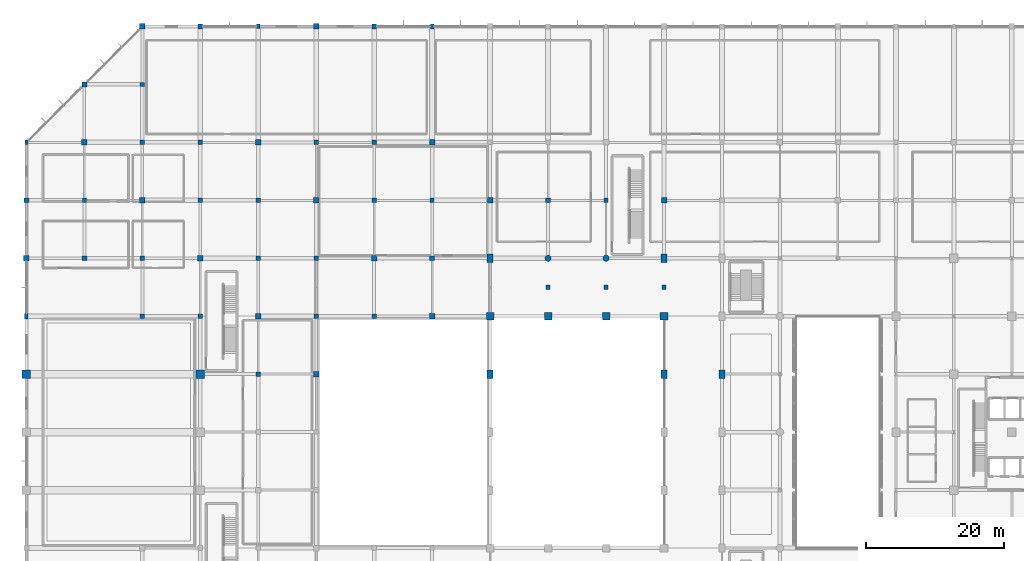
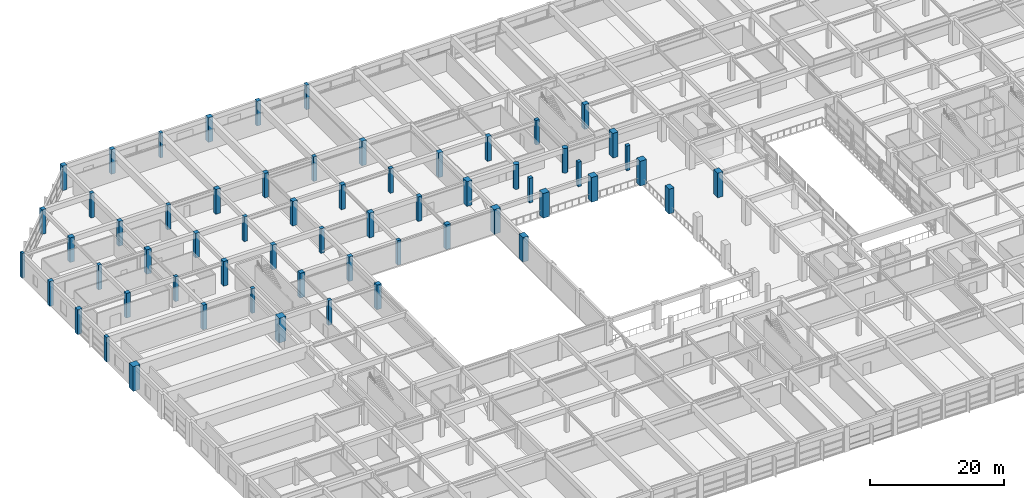
# One storey, part 3 of 65: 61 columns.
"""IFC4 building model written with IfcOpenShell, lengths in metres."""

from ifc_helpers import new_model, si_unit, direction, frame, origin, origin_2d, place, context, subcontext, project, spatial, rectangle, circle, extrude, material, material_profile, profile_set, type_object, element, save


model = new_model("IFC4")

# Units and contexts
model_context = context("Model", 3, precision=1e-05, world=origin(), true_north=direction((0.0, 1.0)))
body_context = subcontext(model_context, "Body", "Model", "MODEL_VIEW")
ifc_project = project(units=[si_unit("LENGTHUNIT", "METRE"), si_unit("AREAUNIT", "SQUARE_METRE"), si_unit("VOLUMEUNIT", "CUBIC_METRE"), si_unit("PLANEANGLEUNIT", "RADIAN"), si_unit("MASSUNIT", "GRAM", prefix="KILO")], contexts=[model_context])

# Site, building, storey
site_placement = place(None, origin())
site = spatial("IfcSite", under=ifc_project, at=site_placement, CompositionType="ELEMENT")
building_placement = place(site_placement, origin())
building = spatial("IfcBuilding", under=site, at=building_placement, Name="Xuanlan Plaza Opera House", CompositionType="ELEMENT")
storey_placement = place(building_placement, frame((0.0, 0.0, 5.39990234375)))
storey = spatial("IfcBuildingStorey", under=building, at=storey_placement, Name="L01", CompositionType="ELEMENT", Elevation=5.39990234375)

# Columns
ifc_material_1 = material(Name="Concrete C60", Category="concrete")
ifc_material_profile_1 = material_profile(ifc_material_1, rectangle(XDim=1.199951171875, YDim=1.199951171875, at=origin_2d()), Name="RC-COL 1200x1200")
ifc_profile_set_1 = profile_set([ifc_material_profile_1], Name="Concrete C60")
column_type_1 = type_object("IfcColumnType", Name="STR-COL-C-02", PredefinedType="COLUMN", material=ifc_profile_set_1)
for number, where, z_axis, x_axis, name in (
    (1, (0.0, 67.199951171875, 0.0), (0.0, 0.0, 1.0), (1.0, 0.0, 0.0), "Column L01 1-I"),
    (2, (25.199951171875, 67.199951171875, 0.0), (0.0, 0.0, 1.0), (1.0, 0.0, 0.0), "Column L01 4-I"),
):
    element("IfcColumn", number, at=place(storey_placement, frame(where, z_axis=z_axis, x_axis=x_axis)), inside=storey, type_object=column_type_1, Name=name, PredefinedType="COLUMN", context=body_context, shape_type="SweptSolid", body=[
        extrude(rectangle(XDim=1.199951171875, YDim=1.199951171875, at=origin_2d()), origin(), (0.0, 0.0, 1.0), 4.5),
    ])
ifc_material_2 = material(Name="Concrete C50", Category="concrete")
ifc_material_profile_2 = material_profile(ifc_material_2, rectangle(XDim=1.10009765625, YDim=1.10009765625, at=origin_2d()), Name="RC-COL 1100x1100")
ifc_profile_set_2 = profile_set([ifc_material_profile_2], Name="Concrete C50")
column_type_2 = type_object("IfcColumnType", Name="STR-COL-C-03", PredefinedType="COLUMN", material=ifc_profile_set_2)
for number, where, z_axis, x_axis, name in (
    (3, (67.199951171875, 75.60009765625, 0.0), (0.0, 0.0, 1.0), (1.0, 0.0, 0.0), "Column L01 9-J"),
    (4, (75.60009765625, 75.60009765625, 0.0), (0.0, 0.0, 1.0), (1.0, 0.0, 0.0), "Column L01 10-J"),
    (5, (84.0, 75.60009765625, 0.0), (0.0, 0.0, 1.0), (1.0, 0.0, 0.0), "Column L01 11-J"),
    (6, (92.39990234375, 75.60009765625, 0.0), (0.0, 0.0, 1.0), (1.0, 0.0, 0.0), "Column L01 12-J"),
):
    element("IfcColumn", number, at=place(storey_placement, frame(where, z_axis=z_axis, x_axis=x_axis)), inside=storey, type_object=column_type_2, Name=name, PredefinedType="COLUMN", context=body_context, shape_type="SweptSolid", body=[
        extrude(rectangle(XDim=1.10009765625, YDim=1.10009765625, at=origin_2d()), origin(), (0.0, 0.0, 1.0), 4.5),
    ])
ifc_material_3 = material(Name="Concrete C40", Category="concrete")
ifc_material_profile_3 = material_profile(ifc_material_3, rectangle(XDim=0.800048828125, YDim=0.800048828125, at=origin_2d()), Name="RC-COL 800x800")
ifc_profile_set_3 = profile_set([ifc_material_profile_3], Name="Concrete C40")
column_type_3 = type_object("IfcColumnType", Name="STR-COL-C-06", PredefinedType="COLUMN", material=ifc_profile_set_3)
for number, where, z_axis, x_axis, name in (
    (7, (0.0, 84.0, 0.0), (0.0, 0.0, 1.0), (1.0, 0.0, 0.0), "Column L01 1-K"),
    (8, (8.39990234375, 100.800048828125, 0.0), (0.0, 0.0, 1.0), (1.0, 0.0, 0.0), "Column L01 2-M"),
    (9, (16.800048828125, 92.39990234375, 0.0), (0.0, 0.0, 1.0), (1.0, 0.0, 0.0), "Column L01 3-L"),
    (10, (16.800048828125, 117.60009765625, 0.0), (0.0, 0.0, 1.0), (1.0, 0.0, 0.0), "Column L01 3-O"),
    (11, (25.199951171875, 84.0, 0.0), (0.0, 0.0, 1.0), (1.0, 0.0, 0.0), "Column L01 4-K"),
    (12, (33.60009765625, 75.60009765625, 0.0), (0.0, 0.0, 1.0), (1.0, 0.0, 0.0), "Column L01 5-J"),
    (13, (33.60009765625, 100.800048828125, 0.0), (0.0, 0.0, 1.0), (1.0, 0.0, 0.0), "Column L01 5-M"),
    (14, (42.0, 67.199951171875, 0.0), (0.0, 0.0, 1.0), (1.0, 0.0, 0.0), "Column L01 6-I"),
    (15, (42.0, 92.39990234375, 0.0), (0.0, 0.0, 1.0), (1.0, 0.0, 0.0), "Column L01 6-L"),
    (16, (42.0, 117.60009765625, 0.0), (0.0, 0.0, 1.0), (1.0, 0.0, 0.0), "Column L01 6-O"),
    (17, (50.39990234375, 84.0, 0.0), (0.0, 0.0, 1.0), (1.0, 0.0, 0.0), "Column L01 7-K"),
    (18, (58.800048828125, 75.60009765625, 0.0), (0.0, 0.0, 1.0), (1.0, 0.0, 0.0), "Column L01 8-J"),
    (19, (58.800048828125, 100.800048828125, 0.0), (0.0, 0.0, 1.0), (1.0, 0.0, 0.0), "Column L01 8-M"),
    (20, (67.199951171875, 92.39990234375, 0.0), (0.0, 0.0, 1.0), (1.0, 0.0, 0.0), "Column L01 9-L"),
    (21, (92.39990234375, 92.39990234375, 0.0), (0.0, 0.0, 1.0), (1.0, 0.0, 0.0), "Column L01 12-L"),
):
    element("IfcColumn", number, at=place(storey_placement, frame(where, z_axis=z_axis, x_axis=x_axis)), inside=storey, type_object=column_type_3, Name=name, PredefinedType="COLUMN", context=body_context, shape_type="SweptSolid", body=[
        extrude(rectangle(XDim=0.800048828125, YDim=0.800048828125, at=origin_2d()), origin(), (0.0, 0.0, 1.0), 4.5),
    ])
ifc_material_profile_4 = material_profile(ifc_material_3, rectangle(XDim=0.699951171875, YDim=0.699951171875, at=origin_2d()), Name="RC-COL 700x700")
ifc_profile_set_4 = profile_set([ifc_material_profile_4], Name="Concrete C40")
column_type_4 = type_object("IfcColumnType", Name="STR-COL-C-07", PredefinedType="COLUMN", material=ifc_profile_set_4)
for number, where, z_axis, x_axis, name in (
    (22, (0.0, 92.39990234375, 0.0), (0.0, 0.0, 1.0), (1.0, 0.0, 0.0), "Column L01 1-L"),
    (23, (8.39990234375, 84.0, 0.0), (0.0, 0.0, 1.0), (1.0, 0.0, 0.0), "Column L01 2-K"),
    (24, (8.39990234375, 109.199951171875, 0.0), (0.0, 0.0, 1.0), (1.0, 0.0, 0.0), "Column L01 2-N"),
    (25, (16.800048828125, 75.60009765625, 0.0), (0.0, 0.0, 1.0), (1.0, 0.0, 0.0), "Column L01 3-J"),
    (26, (16.800048828125, 100.800048828125, 0.0), (0.0, 0.0, 1.0), (1.0, 0.0, 0.0), "Column L01 3-M"),
    (27, (25.199951171875, 92.39990234375, 0.0), (0.0, 0.0, 1.0), (1.0, 0.0, 0.0), "Column L01 4-L"),
    (28, (25.199951171875, 117.60009765625, 0.0), (0.0, 0.0, 1.0), (1.0, 0.0, 0.0), "Column L01 4-O"),
    (29, (33.60009765625, 84.0, 0.0), (0.0, 0.0, 1.0), (1.0, 0.0, 0.0), "Column L01 5-K"),
    (30, (42.0, 75.60009765625, 0.0), (0.0, 0.0, 1.0), (1.0, 0.0, 0.0), "Column L01 6-J"),
    (31, (42.0, 100.800048828125, 0.0), (0.0, 0.0, 1.0), (1.0, 0.0, 0.0), "Column L01 6-M"),
    (32, (50.39990234375, 92.39990234375, 0.0), (0.0, 0.0, 1.0), (1.0, 0.0, 0.0), "Column L01 7-L"),
    (33, (50.39990234375, 117.60009765625, 0.0), (0.0, 0.0, 1.0), (1.0, 0.0, 0.0), "Column L01 7-O"),
    (34, (58.800048828125, 84.0, 0.0), (0.0, 0.0, 1.0), (1.0, 0.0, 0.0), "Column L01 8-K"),
    (35, (75.60009765625, 92.39990234375, 0.0), (0.0, 0.0, 1.0), (1.0, 0.0, 0.0), "Column L01 10-L"),
):
    element("IfcColumn", number, at=place(storey_placement, frame(where, z_axis=z_axis, x_axis=x_axis)), inside=storey, type_object=column_type_4, Name=name, PredefinedType="COLUMN", context=body_context, shape_type="SweptSolid", body=[
        extrude(rectangle(XDim=0.699951171875, YDim=0.699951171875, at=origin_2d()), origin(), (0.0, 0.0, 1.0), 4.5),
    ])
ifc_material_profile_5 = material_profile(ifc_material_3, rectangle(XDim=0.60009765625, YDim=0.60009765625, at=origin_2d()), Name="RC-COL 600x600")
ifc_profile_set_5 = profile_set([ifc_material_profile_5], Name="Concrete C40")
column_type_5 = type_object("IfcColumnType", Name="STR-COL-C-08", PredefinedType="COLUMN", material=ifc_profile_set_5)
for number, where, z_axis, x_axis, name in (
    (36, (8.39990234375, 92.39990234375, 0.0), (0.0, 0.0, 1.0), (1.0, 0.0, 0.0), "Column L01 2-L"),
    (37, (16.800048828125, 84.0, 0.0), (0.0, 0.0, 1.0), (1.0, 0.0, 0.0), "Column L01 3-K"),
    (38, (16.800048828125, 109.199951171875, 0.0), (0.0, 0.0, 1.0), (1.0, 0.0, 0.0), "Column L01 3-N"),
    (39, (25.199951171875, 75.60009765625, 0.0), (0.0, 0.0, 1.0), (1.0, 0.0, 0.0), "Column L01 4-J"),
    (40, (25.199951171875, 100.800048828125, 0.0), (0.0, 0.0, 1.0), (1.0, 0.0, 0.0), "Column L01 4-M"),
    (41, (33.60009765625, 67.199951171875, 0.0), (0.0, 0.0, 1.0), (1.0, 0.0, 0.0), "Column L01 5-I"),
    (42, (33.60009765625, 92.39990234375, 0.0), (0.0, 0.0, 1.0), (1.0, 0.0, 0.0), "Column L01 5-L"),
    (43, (42.0, 84.0, 0.0), (0.0, 0.0, 1.0), (1.0, 0.0, 0.0), "Column L01 6-K"),
    (44, (50.39990234375, 75.60009765625, 0.0), (0.0, 0.0, 1.0), (1.0, 0.0, 0.0), "Column L01 7-J"),
    (45, (50.39990234375, 100.800048828125, 0.0), (0.0, 0.0, 1.0), (1.0, 0.0, 0.0), "Column L01 7-M"),
    (46, (58.800048828125, 92.39990234375, 0.0), (0.0, 0.0, 1.0), (1.0, 0.0, 0.0), "Column L01 8-L"),
    (47, (84.0, 92.39990234375, 0.0), (0.0, 0.0, 1.0), (1.0, 0.0, 0.0), "Column L01 11-L"),
    (48, (75.60009765625, 79.800048828125, 0.0), (0.0, 0.0, 1.0), (1.0, 0.0, 0.0), "Side Tier Support Column L01 N X75"),
    (49, (84.0, 79.800048828125, 0.0), (0.0, 0.0, 1.0), (1.0, 0.0, 0.0), "Side Tier Support Column L01 N X84"),
    (50, (92.39990234375, 79.800048828125, 0.0), (0.0, 0.0, 1.0), (1.0, 0.0, 0.0), "Side Tier Support Column L01 N X92"),
):
    element("IfcColumn", number, at=place(storey_placement, frame(where, z_axis=z_axis, x_axis=x_axis)), inside=storey, type_object=column_type_5, Name=name, PredefinedType="COLUMN", context=body_context, shape_type="SweptSolid", body=[
        extrude(rectangle(XDim=0.60009765625, YDim=0.60009765625, at=origin_2d()), origin(), (0.0, 0.0, 1.0), 4.5),
    ])
ifc_material_profile_6 = material_profile(ifc_material_2, rectangle(XDim=0.89990234375, YDim=1.199951171875, at=origin_2d()), Name="RC-COL 900x1200")
ifc_profile_set_6 = profile_set([ifc_material_profile_6], Name="Concrete C50")
column_type_6 = type_object("IfcColumnType", Name="STR-COL-C-10", PredefinedType="COLUMN", material=ifc_profile_set_6)
for number, where, z_axis, x_axis, name in (
    (51, (67.199951171875, 67.199951171875, 0.0), (0.0, 0.0, 1.0), (1.0, 0.0, 0.0), "Column L01 9-I"),
    (52, (67.199951171875, 84.0, 0.0), (0.0, 0.0, 1.0), (1.0, 0.0, 0.0), "Column L01 9-K"),
    (53, (92.39990234375, 67.199951171875, 0.0), (0.0, 0.0, 1.0), (1.0, 0.0, 0.0), "Column L01 12-I"),
    (54, (92.39990234375, 84.0, 0.0), (0.0, 0.0, 1.0), (1.0, 0.0, 0.0), "Column L01 12-K"),
    (55, (100.800048828125, 67.199951171875, 0.0), (0.0, 0.0, 1.0), (1.0, 0.0, 0.0), "Column L01 13-I"),
):
    element("IfcColumn", number, at=place(storey_placement, frame(where, z_axis=z_axis, x_axis=x_axis)), inside=storey, type_object=column_type_6, Name=name, PredefinedType="COLUMN", context=body_context, shape_type="SweptSolid", body=[
        extrude(rectangle(XDim=0.89990234375, YDim=1.199951171875, at=origin_2d()), origin(), (0.0, 0.0, 1.0), 4.5),
    ])
ifc_material_profile_7 = material_profile(ifc_material_3, circle(Radius=0.449951171875, at=origin_2d()), Name="RC-COL D900")
ifc_profile_set_7 = profile_set([ifc_material_profile_7], Name="Concrete C40")
column_type_7 = type_object("IfcColumnType", Name="STR-COL-C-12", PredefinedType="COLUMN", material=ifc_profile_set_7)
for number, where, z_axis, x_axis, name in (
    (56, (75.60009765625, 84.0, 0.0), (0.0, 0.0, 1.0), (1.0, 0.0, 0.0), "Column L01 10-K"),
    (57, (84.0, 84.0, 0.0), (0.0, 0.0, 1.0), (1.0, 0.0, 0.0), "Column L01 11-K"),
):
    element("IfcColumn", number, at=place(storey_placement, frame(where, z_axis=z_axis, x_axis=x_axis)), inside=storey, type_object=column_type_7, Name=name, PredefinedType="COLUMN", context=body_context, shape_type="SweptSolid", body=[
        extrude(circle(Radius=0.449951171875, at=origin_2d()), origin(), (0.0, 0.0, 1.0), 4.5),
    ])
ifc_material_profile_8 = material_profile(ifc_material_3, rectangle(XDim=0.449951171875, YDim=0.64990234375, at=origin_2d()), Name="RC-PIL 450x650")
ifc_profile_set_8 = profile_set([ifc_material_profile_8], Name="Concrete C40")
column_type_8 = type_object("IfcColumnType", Name="STR-COL-PL-01", PredefinedType="PILASTER", material=ifc_profile_set_8)
for number, where, z_axis, x_axis, name in (
    (58, (0.0, 100.800048828125, 0.0), (0.0, 0.0, 1.0), (1.0, 0.0, 0.0), "Column L01 1-M"),
    (59, (33.60009765625, 117.60009765625, 0.0), (0.0, 0.0, 1.0), (1.0, 0.0, 0.0), "Column L01 5-O"),
):
    element("IfcColumn", number, at=place(storey_placement, frame(where, z_axis=z_axis, x_axis=x_axis)), inside=storey, type_object=column_type_8, Name=name, PredefinedType="PILASTER", context=body_context, shape_type="SweptSolid", body=[
        extrude(rectangle(XDim=0.449951171875, YDim=0.64990234375, at=origin_2d()), origin(), (0.0, 0.0, 1.0), 4.5),
    ])
ifc_material_profile_9 = material_profile(ifc_material_3, rectangle(XDim=0.5, YDim=0.75, at=origin_2d()), Name="RC-PIL 500x750")
ifc_profile_set_9 = profile_set([ifc_material_profile_9], Name="Concrete C40")
column_type_9 = type_object("IfcColumnType", Name="STR-COL-PL-02", PredefinedType="PILASTER", material=ifc_profile_set_9)
for number, where, z_axis, x_axis, name in (
    (60, (0.0, 75.60009765625, 0.0), (0.0, 0.0, 1.0), (1.0, 0.0, 0.0), "Column L01 1-J"),
    (61, (58.800048828125, 117.60009765625, 0.0), (0.0, 0.0, 1.0), (1.0, 0.0, 0.0), "Column L01 8-O"),
):
    element("IfcColumn", number, at=place(storey_placement, frame(where, z_axis=z_axis, x_axis=x_axis)), inside=storey, type_object=column_type_9, Name=name, PredefinedType="PILASTER", context=body_context, shape_type="SweptSolid", body=[
        extrude(rectangle(XDim=0.5, YDim=0.75, at=origin_2d()), origin(), (0.0, 0.0, 1.0), 4.5),
    ])

save(model, "model.ifc")
